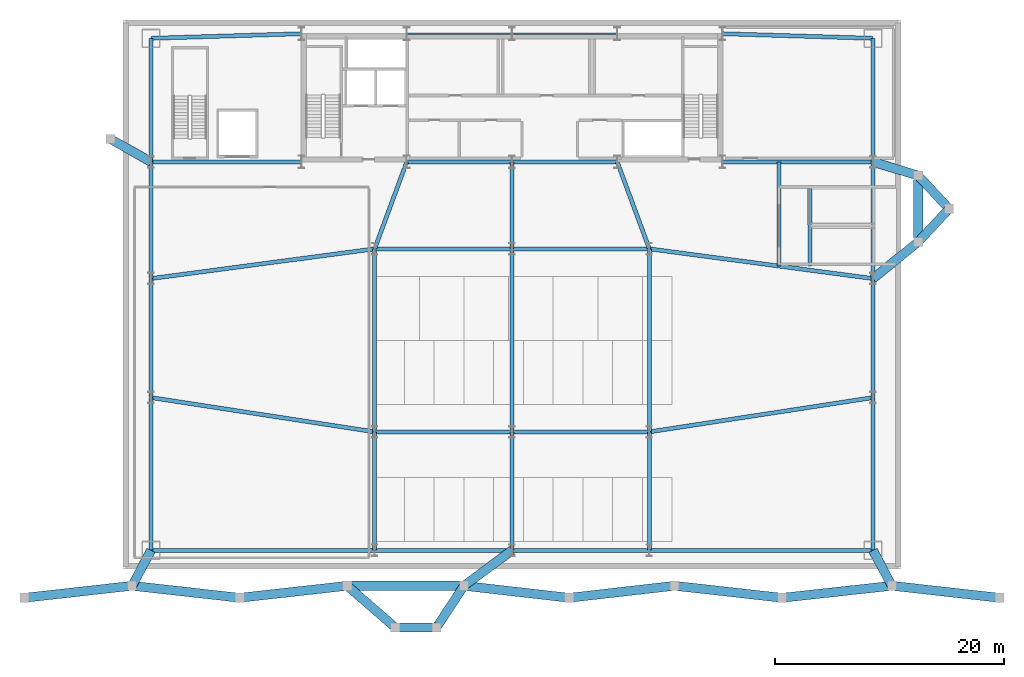
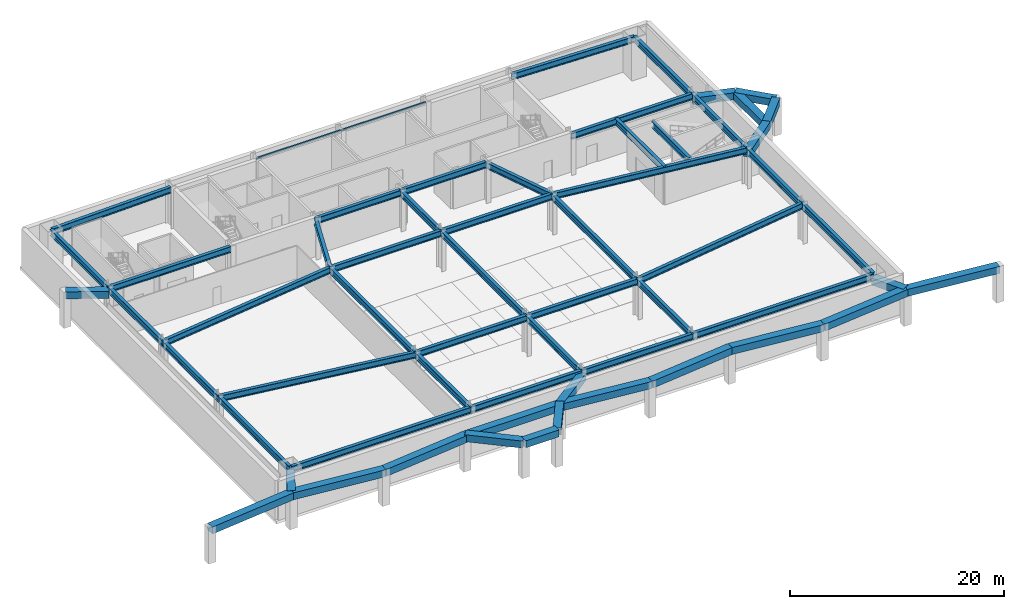
# One storey, part 3 of 9: 60 beams.
"""IFC4 building model written with IfcOpenShell, lengths in metres."""

from ifc_helpers import new_model, si_unit, direction, frame, origin, origin_2d, place, context, subcontext, project, spatial, rectangle, i_section, extrude, source, transform, mapped, material, material_profile, profile_set, type_object, type_shapes, element, save


model = new_model("IFC4")

# Units and contexts
model_context = context("Model", 3, precision=1e-05, world=origin(), true_north=direction((0.0, 1.0)))
body_context = subcontext(model_context, "Body", "Model", "MODEL_VIEW")
ifc_project = project(units=[si_unit("LENGTHUNIT", "METRE"), si_unit("AREAUNIT", "SQUARE_METRE"), si_unit("VOLUMEUNIT", "CUBIC_METRE"), si_unit("PLANEANGLEUNIT", "RADIAN"), si_unit("MASSUNIT", "GRAM", prefix="KILO")], contexts=[model_context])

# Site, building, storey
site_placement = place(None, origin())
site = spatial("IfcSite", under=ifc_project, at=site_placement, CompositionType="ELEMENT")
building_placement = place(site_placement, origin())
building = spatial("IfcBuilding", under=site, at=building_placement, Name="Varnel Quay Broadcast Tower", CompositionType="ELEMENT")
storey_placement = place(building_placement, frame((0.0, 0.0, -4.800048828125)))
storey = spatial("IfcBuildingStorey", under=building, at=storey_placement, Name="B1", CompositionType="ELEMENT", Elevation=-4.800048828125)

# Beams
ifc_material_1 = material(Name="Concrete CSA A23.3 C50/60", Category="concrete")
ifc_material_profile_1 = material_profile(ifc_material_1, rectangle(XDim=0.800048828125, YDim=0.800048828125, at=origin_2d()), Name="RC800X800")
ifc_profile_set_1 = profile_set([ifc_material_profile_1], Name="Concrete CSA A23.3 C50/60")
beam_type_1 = type_object("IfcBeamType", Name="Beam_RC800X800", PredefinedType="BEAM", material=ifc_profile_set_1)
shared_shape_1 = source(origin(), body_context, "Body", "SweptSolid", [
    extrude(rectangle(XDim=0.800048828125, YDim=0.800048828125, at=origin_2d()), origin(), (0.0, 0.0, 1.0), 9.45849609375),
])
for number, where, z_axis, x_axis, name in (
    (1, (-8.60009765625, -2.5, 3.699951171875), (0.993818719908, 0.111015097897, 0.0), (-0.111015097897, 0.993818719908, 0.0), "B1 Quay Promenade Pier Beam PRM01-PRM02"),
    (2, (10.199951171875, -2.5, 3.699951171875), (0.993818719908, 0.111015097897, 0.0), (-0.111015097897, 0.993818719908, 0.0), "B1 Quay Promenade Pier Beam PRM03-PRM04"),
    (3, (48.199951171875, -1.449951171875, 3.699951171875), (0.993818719908, -0.111015097897, 0.0), (0.111015097897, 0.993818719908, 0.0), "B1 Quay Promenade Pier Beam PRM07-PRM08"),
    (4, (67.199951171875, -1.449951171875, 3.699951171875), (0.993818719908, -0.111015097897, 0.0), (0.111015097897, 0.993818719908, 0.0), "B1 Quay Promenade Pier Beam PRM09-PRM10"),
):
    element("IfcBeam", number, at=place(storey_placement, frame(where, z_axis=z_axis, x_axis=x_axis)), inside=storey, type_object=beam_type_1, Name=name, PredefinedType="BEAM", context=body_context, shape_type="MappedRepresentation", body=[
        mapped(shared_shape_1, transform((0.0, 0.0, 0.0), x_axis=(1.0, 0.0, 0.0), y_axis=(0.0, 1.0, 0.0), z_axis=(0.0, 0.0, 1.0), scale=1.0)),
    ])
shared_shape_2 = source(origin(), body_context, "Body", "SweptSolid", [
    extrude(rectangle(XDim=0.800048828125, YDim=0.800048828125, at=origin_2d()), origin(), (0.0, 0.0, 1.0), 9.458251953125),
])
beam_1_placement = place(storey_placement, frame((0.800048828125, -1.449951171875, 3.699951171875), z_axis=(0.993818401786, -0.111017945719, 0.0), x_axis=(0.111017945719, 0.993818401786, 0.0)))
element("IfcBeam", 5, at=beam_1_placement, inside=storey, type_object=beam_type_1, Name="B1 Quay Promenade Pier Beam PRM02-PRM03", PredefinedType="BEAM", context=body_context, shape_type="MappedRepresentation", body=[
    mapped(shared_shape_2, transform((0.0, 0.0, 0.0), x_axis=(1.0, 0.0, 0.0), y_axis=(0.0, 1.0, 0.0), z_axis=(0.0, 0.0, 1.0), scale=1.0)),
])
shared_shape_3 = source(origin(), body_context, "Body", "SweptSolid", [
    extrude(rectangle(XDim=0.800048828125, YDim=0.800048828125, at=origin_2d()), origin(), (0.0, 0.0, 1.0), 10.199951171875),
])
beam_2_placement = place(storey_placement, frame((19.60009765625, -1.449951171875, 3.699951171875), z_axis=(1.0, 0.0, 0.0), x_axis=(0.0, 1.0, 0.0)))
element("IfcBeam", 6, at=beam_2_placement, inside=storey, type_object=beam_type_1, Name="B1 Quay Promenade Pier Beam PRM04-PRM05", PredefinedType="BEAM", context=body_context, shape_type="MappedRepresentation", body=[
    mapped(shared_shape_3, transform((0.0, 0.0, 0.0), x_axis=(1.0, 0.0, 0.0), y_axis=(0.0, 1.0, 0.0), z_axis=(0.0, 0.0, 1.0), scale=1.0)),
])
shared_shape_4 = source(origin(), body_context, "Body", "SweptSolid", [
    extrude(rectangle(XDim=0.800048828125, YDim=0.800048828125, at=origin_2d()), origin(), (0.0, 0.0, 1.0), 9.259765625),
])
for number, where, z_axis, x_axis, name in (
    (7, (29.800048828125, -1.449951171875, 3.699951171875), (0.993549403514, -0.11340010043, 0.0), (0.11340010043, 0.993549403514, 0.0), "B1 Quay Promenade Pier Beam PRM05-PRM06"),
    (8, (39.0, -2.5, 3.699951171875), (0.993549403514, 0.11340010043, 0.0), (-0.11340010043, 0.993549403514, 0.0), "B1 Quay Promenade Pier Beam PRM06-PRM07"),
):
    element("IfcBeam", number, at=place(storey_placement, frame(where, z_axis=z_axis, x_axis=x_axis)), inside=storey, type_object=beam_type_1, Name=name, PredefinedType="BEAM", context=body_context, shape_type="MappedRepresentation", body=[
        mapped(shared_shape_4, transform((0.0, 0.0, 0.0), x_axis=(1.0, 0.0, 0.0), y_axis=(0.0, 1.0, 0.0), z_axis=(0.0, 0.0, 1.0), scale=1.0)),
    ])
shared_shape_5 = source(origin(), body_context, "Body", "SweptSolid", [
    extrude(rectangle(XDim=0.800048828125, YDim=0.800048828125, at=origin_2d()), origin(), (0.0, 0.0, 1.0), 9.6572265625),
])
beam_3_placement = place(storey_placement, frame((57.60009765625, -2.5, 3.699951171875), z_axis=(0.994070965935, 0.108733227143, 0.0), x_axis=(-0.108733227143, 0.994070965935, 0.0)))
element("IfcBeam", 9, at=beam_3_placement, inside=storey, type_object=beam_type_1, Name="B1 Quay Promenade Pier Beam PRM08-PRM09", PredefinedType="BEAM", context=body_context, shape_type="MappedRepresentation", body=[
    mapped(shared_shape_5, transform((0.0, 0.0, 0.0), x_axis=(1.0, 0.0, 0.0), y_axis=(0.0, 1.0, 0.0), z_axis=(0.0, 0.0, 1.0), scale=1.0)),
])
shared_shape_6 = source(origin(), body_context, "Body", "SweptSolid", [
    extrude(rectangle(XDim=0.800048828125, YDim=0.800048828125, at=origin_2d()), origin(), (0.0, 0.0, 1.0), 3.511474609375),
])
for number, where, z_axis, x_axis, name in (
    (10, (0.800048828125, -1.449951171875, 3.699951171875), (0.469844712392, 0.882749084529, 0.0), (-0.882749084529, 0.469844712392, 0.0), "B1 Exterior Pier Frame Tie PRM02"),
    (11, (67.199951171875, -1.449951171875, 3.699951171875), (-0.469844712392, 0.882749084529, 0.0), (-0.882749084529, -0.469844712392, 0.0), "B1 Exterior Pier Frame Tie PRM09"),
):
    element("IfcBeam", number, at=place(storey_placement, frame(where, z_axis=z_axis, x_axis=x_axis)), inside=storey, type_object=beam_type_1, Name=name, PredefinedType="BEAM", context=body_context, shape_type="MappedRepresentation", body=[
        mapped(shared_shape_6, transform((0.0, 0.0, 0.0), x_axis=(1.0, 0.0, 0.0), y_axis=(0.0, 1.0, 0.0), z_axis=(0.0, 0.0, 1.0), scale=1.0)),
    ])
shared_shape_7 = source(origin(), body_context, "Body", "SweptSolid", [
    extrude(rectangle(XDim=0.800048828125, YDim=0.800048828125, at=origin_2d()), origin(), (0.0, 0.0, 1.0), 5.219970703125),
])
beam_4_placement = place(storey_placement, frame((29.800048828125, -1.449951171875, 3.699951171875), z_axis=(0.804584188653, 0.593838600438, 0.0), x_axis=(-0.593838600438, 0.804584188653, 0.0)))
element("IfcBeam", 12, at=beam_4_placement, inside=storey, type_object=beam_type_1, Name="B1 Exterior Pier Frame Tie PRM05", PredefinedType="BEAM", context=body_context, shape_type="MappedRepresentation", body=[
    mapped(shared_shape_7, transform((0.0, 0.0, 0.0), x_axis=(1.0, 0.0, 0.0), y_axis=(0.0, 1.0, 0.0), z_axis=(0.0, 0.0, 1.0), scale=1.0)),
])
shared_shape_8 = source(origin(), body_context, "Body", "SweptSolid", [
    extrude(rectangle(XDim=0.800048828125, YDim=0.800048828125, at=origin_2d()), origin(), (0.0, 0.0, 1.0), 5.083740234375),
])
beam_5_placement = place(storey_placement, frame((69.5, 28.60009765625, 3.699951171875), z_axis=(-0.776993171776, -0.629509023774, 0.0), x_axis=(0.629509023774, -0.776993171776, 0.0)))
element("IfcBeam", 13, at=beam_5_placement, inside=storey, type_object=beam_type_1, Name="B1 Exterior Pier Frame Tie EAPR1", PredefinedType="BEAM", context=body_context, shape_type="MappedRepresentation", body=[
    mapped(shared_shape_8, transform((0.0, 0.0, 0.0), x_axis=(1.0, 0.0, 0.0), y_axis=(0.0, 1.0, 0.0), z_axis=(0.0, 0.0, 1.0), scale=1.0)),
])
shared_shape_9 = source(origin(), body_context, "Body", "SweptSolid", [
    extrude(rectangle(XDim=0.800048828125, YDim=0.800048828125, at=origin_2d()), origin(), (0.0, 0.0, 1.0), 4.128173828125),
])
beam_6_placement = place(storey_placement, frame((69.5, 34.39990234375, 3.699951171875), z_axis=(-0.95680628088, 0.290726230101, 0.0), x_axis=(-0.290726230101, -0.95680628088, 0.0)))
element("IfcBeam", 14, at=beam_6_placement, inside=storey, type_object=beam_type_1, Name="B1 Exterior Pier Frame Tie EAPR2", PredefinedType="BEAM", context=body_context, shape_type="MappedRepresentation", body=[
    mapped(shared_shape_9, transform((0.0, 0.0, 0.0), x_axis=(1.0, 0.0, 0.0), y_axis=(0.0, 1.0, 0.0), z_axis=(0.0, 0.0, 1.0), scale=1.0)),
])
shared_shape_10 = source(origin(), body_context, "Body", "SweptSolid", [
    extrude(rectangle(XDim=0.800048828125, YDim=0.800048828125, at=origin_2d()), origin(), (0.0, 0.0, 1.0), 4.07470703125),
])
beam_7_placement = place(storey_placement, frame((-1.10009765625, 37.60009765625, 3.699951171875), z_axis=(0.871250514853, -0.490838609289, 0.0), x_axis=(0.490838609289, 0.871250514853, 0.0)))
element("IfcBeam", 15, at=beam_7_placement, inside=storey, type_object=beam_type_1, Name="B1 Exterior Pier Frame Tie WEXT1", PredefinedType="BEAM", context=body_context, shape_type="MappedRepresentation", body=[
    mapped(shared_shape_10, transform((0.0, 0.0, 0.0), x_axis=(1.0, 0.0, 0.0), y_axis=(0.0, 1.0, 0.0), z_axis=(0.0, 0.0, 1.0), scale=1.0)),
])
shared_shape_11 = source(origin(), body_context, "Body", "SweptSolid", [
    extrude(rectangle(XDim=0.800048828125, YDim=0.800048828125, at=origin_2d()), origin(), (0.0, 0.0, 1.0), 3.599853515625),
])
beam_8_placement = place(storey_placement, frame((23.800048828125, -5.10009765625, 3.800048828125), z_axis=(1.0, 0.0, 0.0), x_axis=(0.0, 1.0, 0.0)))
element("IfcBeam", 16, at=beam_8_placement, inside=storey, type_object=beam_type_1, Name="B1 Quay Ramp Pier Beam QRMP1-QRMP2", PredefinedType="BEAM", context=body_context, shape_type="MappedRepresentation", body=[
    mapped(shared_shape_11, transform((0.0, 0.0, 0.0), x_axis=(1.0, 0.0, 0.0), y_axis=(0.0, 1.0, 0.0), z_axis=(0.0, 0.0, 1.0), scale=1.0)),
])
shared_shape_12 = source(origin(), body_context, "Body", "SweptSolid", [
    extrude(rectangle(XDim=0.800048828125, YDim=0.800048828125, at=origin_2d()), origin(), (0.0, 0.0, 1.0), 5.564453125),
])
beam_9_placement = place(storey_placement, frame((23.800048828125, -5.10009765625, 3.800048828125), z_axis=(-0.754782128419, 0.655975562517, 0.0), x_axis=(-0.655975562517, -0.754782128419, 0.0)))
element("IfcBeam", 17, at=beam_9_placement, inside=storey, type_object=beam_type_1, Name="B1 Quay Ramp Pier Beam QRMP1-PRM04", PredefinedType="BEAM", context=body_context, shape_type="MappedRepresentation", body=[
    mapped(shared_shape_12, transform((0.0, 0.0, 0.0), x_axis=(1.0, 0.0, 0.0), y_axis=(0.0, 1.0, 0.0), z_axis=(0.0, 0.0, 1.0), scale=1.0)),
])
shared_shape_13 = source(origin(), body_context, "Body", "SweptSolid", [
    extrude(rectangle(XDim=0.800048828125, YDim=0.800048828125, at=origin_2d()), origin(), (0.0, 0.0, 1.0), 4.36865234375),
])
beam_10_placement = place(storey_placement, frame((27.39990234375, -5.10009765625, 3.800048828125), z_axis=(0.549414280522, 0.835550087283, 0.0), x_axis=(-0.835550087283, 0.549414280522, 0.0)))
element("IfcBeam", 18, at=beam_10_placement, inside=storey, type_object=beam_type_1, Name="B1 Quay Ramp Pier Beam QRMP2-PRM05", PredefinedType="BEAM", context=body_context, shape_type="MappedRepresentation", body=[
    mapped(shared_shape_13, transform((0.0, 0.0, 0.0), x_axis=(1.0, 0.0, 0.0), y_axis=(0.0, 1.0, 0.0), z_axis=(0.0, 0.0, 1.0), scale=1.0)),
])
shared_shape_14 = source(origin(), body_context, "Body", "SweptSolid", [
    extrude(rectangle(XDim=0.800048828125, YDim=0.800048828125, at=origin_2d()), origin(), (0.0, 0.0, 1.0), 5.7998046875),
])
beam_11_placement = place(storey_placement, frame((69.5, 28.60009765625, 3.699951171875), z_axis=(0.0, 1.0, 0.0), x_axis=(-1.0, 0.0, 0.0)))
element("IfcBeam", 19, at=beam_11_placement, inside=storey, type_object=beam_type_1, Name="B1 East Apron Pier Beam EAPR1-EAPR2", PredefinedType="BEAM", context=body_context, shape_type="MappedRepresentation", body=[
    mapped(shared_shape_14, transform((0.0, 0.0, 0.0), x_axis=(1.0, 0.0, 0.0), y_axis=(0.0, 1.0, 0.0), z_axis=(0.0, 0.0, 1.0), scale=1.0)),
])
shared_shape_15 = source(origin(), body_context, "Body", "SweptSolid", [
    extrude(rectangle(XDim=0.800048828125, YDim=0.800048828125, at=origin_2d()), origin(), (0.0, 0.0, 1.0), 3.962158203125),
])
type_shapes(beam_type_1, [shared_shape_1, shared_shape_2, shared_shape_3, shared_shape_4, shared_shape_5, shared_shape_6, shared_shape_7, shared_shape_8, shared_shape_9, shared_shape_10, shared_shape_11, shared_shape_12, shared_shape_13, shared_shape_14, shared_shape_15])
for number, where, z_axis, x_axis, name in (
    (20, (69.5, 28.60009765625, 3.699951171875), (0.681424218655, 0.731888676118, 0.0), (-0.731888676118, 0.681424218655, 0.0), "B1 East Apron Pier Beam EAPR1-EAPR3"),
    (21, (69.5, 34.39990234375, 3.699951171875), (0.681424218655, -0.731888676118, 0.0), (0.731888676118, 0.681424218655, 0.0), "B1 East Apron Pier Beam EAPR2-EAPR3"),
):
    element("IfcBeam", number, at=place(storey_placement, frame(where, z_axis=z_axis, x_axis=x_axis)), inside=storey, type_object=beam_type_1, Name=name, PredefinedType="BEAM", context=body_context, shape_type="MappedRepresentation", body=[
        mapped(shared_shape_15, transform((0.0, 0.0, 0.0), x_axis=(1.0, 0.0, 0.0), y_axis=(0.0, 1.0, 0.0), z_axis=(0.0, 0.0, 1.0), scale=1.0)),
    ])
ifc_material_2 = material(Name="Structural Steel CSA G40.21 350W", Category="steel")
ifc_material_profile_2 = material_profile(ifc_material_2, i_section(OverallWidth=0.35498046875, OverallDepth=0.695068359375, WebThickness=0.015380859375, FlangeThickness=0.02490234375, FilletRadius=0.01806640625, at=origin_2d()), Name="W690X217")
ifc_profile_set_2 = profile_set([ifc_material_profile_2], Name="Structural Steel CSA G40.21 350W")
beam_type_2 = type_object("IfcBeamType", Name="Girder_W690X217", PredefinedType="BEAM", material=ifc_profile_set_2)
shared_shape_16 = source(origin(), body_context, "Body", "SweptSolid", [
    extrude(i_section(OverallWidth=0.35498046875, OverallDepth=0.695068359375, WebThickness=0.015380859375, FlangeThickness=0.02490234375, FilletRadius=0.01806640625, at=origin_2d()), origin(), (0.0, 0.0, 1.0), 19.510009765625),
])
for number, where, z_axis, x_axis, name in (
    (22, (2.469970703125, 1.64990234375, 4.132568359375), (1.0, 0.0, 0.0), (0.0, 1.0, 0.0), "B1 Girder G-PS1"),
    (23, (46.02001953125, 1.64990234375, 4.132568359375), (1.0, 0.0, 0.0), (0.0, 1.0, 0.0), "B1 Girder G-PS4"),
):
    element("IfcBeam", number, at=place(storey_placement, frame(where, z_axis=z_axis, x_axis=x_axis)), inside=storey, type_object=beam_type_2, Name=name, PredefinedType="BEAM", context=body_context, shape_type="MappedRepresentation", body=[
        mapped(shared_shape_16, transform((0.0, 0.0, 0.0), x_axis=(1.0, 0.0, 0.0), y_axis=(0.0, 1.0, 0.0), z_axis=(0.0, 0.0, 1.0), scale=1.0)),
    ])
shared_shape_17 = source(origin(), body_context, "Body", "SweptSolid", [
    extrude(i_section(OverallWidth=0.35498046875, OverallDepth=0.695068359375, WebThickness=0.015380859375, FlangeThickness=0.02490234375, FilletRadius=0.01806640625, at=origin_2d()), origin(), (0.0, 0.0, 1.0), 11.9599609375),
])
for number, where, z_axis, x_axis, name in (
    (24, (22.02001953125, 1.64990234375, 4.132568359375), (1.0, 0.0, 0.0), (0.0, 1.0, 0.0), "B1 Girder G-PS2"),
    (25, (34.02001953125, 1.64990234375, 4.132568359375), (1.0, 0.0, 0.0), (0.0, 1.0, 0.0), "B1 Girder G-PS3"),
    (26, (22.02001953125, 12.0, 4.132568359375), (1.0, 0.0, 0.0), (0.0, 1.0, 0.0), "B1 Girder G-STC1A"),
    (27, (34.02001953125, 12.0, 4.132568359375), (1.0, 0.0, 0.0), (0.0, 1.0, 0.0), "B1 Girder G-STC1B"),
    (28, (22.02001953125, 28.0, 4.132568359375), (1.0, 0.0, 0.0), (0.0, 1.0, 0.0), "B1 Girder G-STC2"),
    (29, (34.02001953125, 28.0, 4.132568359375), (1.0, 0.0, 0.0), (0.0, 1.0, 0.0), "B1 Girder G-STC3"),
):
    element("IfcBeam", number, at=place(storey_placement, frame(where, z_axis=z_axis, x_axis=x_axis)), inside=storey, type_object=beam_type_2, Name=name, PredefinedType="BEAM", context=body_context, shape_type="MappedRepresentation", body=[
        mapped(shared_shape_17, transform((0.0, 0.0, 0.0), x_axis=(1.0, 0.0, 0.0), y_axis=(0.0, 1.0, 0.0), z_axis=(0.0, 0.0, 1.0), scale=1.0)),
    ])
shared_shape_18 = source(origin(), body_context, "Body", "SweptSolid", [
    extrude(i_section(OverallWidth=0.35498046875, OverallDepth=0.695068359375, WebThickness=0.015380859375, FlangeThickness=0.02490234375, FilletRadius=0.01806640625, at=origin_2d()), origin(), (0.0, 0.0, 1.0), 13.31005859375),
])
for number, where, z_axis, x_axis, name in (
    (30, (2.449951171875, 1.669921875, 4.132568359375), (0.0, 1.0, 0.0), (-1.0, 0.0, 0.0), "B1 Girder G-PW1"),
    (31, (65.550048828125, 1.669921875, 4.132568359375), (0.0, 1.0, 0.0), (-1.0, 0.0, 0.0), "B1 Girder G-PE1"),
):
    element("IfcBeam", number, at=place(storey_placement, frame(where, z_axis=z_axis, x_axis=x_axis)), inside=storey, type_object=beam_type_2, Name=name, PredefinedType="BEAM", context=body_context, shape_type="MappedRepresentation", body=[
        mapped(shared_shape_18, transform((0.0, 0.0, 0.0), x_axis=(1.0, 0.0, 0.0), y_axis=(0.0, 1.0, 0.0), z_axis=(0.0, 0.0, 1.0), scale=1.0)),
    ])
shared_shape_19 = source(origin(), body_context, "Body", "SweptSolid", [
    extrude(i_section(OverallWidth=0.35498046875, OverallDepth=0.695068359375, WebThickness=0.015380859375, FlangeThickness=0.02490234375, FilletRadius=0.01806640625, at=origin_2d()), origin(), (0.0, 0.0, 1.0), 10.35986328125),
])
for number, where, z_axis, x_axis, name in (
    (32, (2.449951171875, 15.02001953125, 4.132568359375), (0.0, 1.0, 0.0), (-1.0, 0.0, 0.0), "B1 Girder G-PW2"),
    (33, (65.550048828125, 15.02001953125, 4.132568359375), (0.0, 1.0, 0.0), (-1.0, 0.0, 0.0), "B1 Girder G-PE2"),
):
    element("IfcBeam", number, at=place(storey_placement, frame(where, z_axis=z_axis, x_axis=x_axis)), inside=storey, type_object=beam_type_2, Name=name, PredefinedType="BEAM", context=body_context, shape_type="MappedRepresentation", body=[
        mapped(shared_shape_19, transform((0.0, 0.0, 0.0), x_axis=(1.0, 0.0, 0.0), y_axis=(0.0, 1.0, 0.0), z_axis=(0.0, 0.0, 1.0), scale=1.0)),
    ])
shared_shape_20 = source(origin(), body_context, "Body", "SweptSolid", [
    extrude(i_section(OverallWidth=0.35498046875, OverallDepth=0.695068359375, WebThickness=0.015380859375, FlangeThickness=0.02490234375, FilletRadius=0.01806640625, at=origin_2d()), origin(), (0.0, 0.0, 1.0), 10.16015625),
])
for number, where, z_axis, x_axis, name in (
    (34, (2.449951171875, 25.419921875, 4.132568359375), (0.0, 1.0, 0.0), (-1.0, 0.0, 0.0), "B1 Girder G-PW3"),
    (35, (65.550048828125, 25.419921875, 4.132568359375), (0.0, 1.0, 0.0), (-1.0, 0.0, 0.0), "B1 Girder G-PE3"),
):
    element("IfcBeam", number, at=place(storey_placement, frame(where, z_axis=z_axis, x_axis=x_axis)), inside=storey, type_object=beam_type_2, Name=name, PredefinedType="BEAM", context=body_context, shape_type="MappedRepresentation", body=[
        mapped(shared_shape_20, transform((0.0, 0.0, 0.0), x_axis=(1.0, 0.0, 0.0), y_axis=(0.0, 1.0, 0.0), z_axis=(0.0, 0.0, 1.0), scale=1.0)),
    ])
shared_shape_21 = source(origin(), body_context, "Body", "SweptSolid", [
    extrude(i_section(OverallWidth=0.35498046875, OverallDepth=0.695068359375, WebThickness=0.015380859375, FlangeThickness=0.02490234375, FilletRadius=0.01806640625, at=origin_2d()), origin(), (0.0, 0.0, 1.0), 10.759765625),
])
for number, where, z_axis, x_axis, name in (
    (36, (2.449951171875, 35.6201171875, 4.132568359375), (0.0, 1.0, 0.0), (-1.0, 0.0, 0.0), "B1 Girder G-PW4"),
    (37, (65.550048828125, 35.6201171875, 4.132568359375), (0.0, 1.0, 0.0), (-1.0, 0.0, 0.0), "B1 Girder G-PE4"),
):
    element("IfcBeam", number, at=place(storey_placement, frame(where, z_axis=z_axis, x_axis=x_axis)), inside=storey, type_object=beam_type_2, Name=name, PredefinedType="BEAM", context=body_context, shape_type="MappedRepresentation", body=[
        mapped(shared_shape_21, transform((0.0, 0.0, 0.0), x_axis=(1.0, 0.0, 0.0), y_axis=(0.0, 1.0, 0.0), z_axis=(0.0, 0.0, 1.0), scale=1.0)),
    ])
shared_shape_22 = source(origin(), body_context, "Body", "SweptSolid", [
    extrude(i_section(OverallWidth=0.35498046875, OverallDepth=0.695068359375, WebThickness=0.015380859375, FlangeThickness=0.02490234375, FilletRadius=0.01806640625, at=origin_2d()), origin(), (0.0, 0.0, 1.0), 13.1162109375),
])
for number, where, z_axis, x_axis, name in (
    (38, (2.469970703125, 46.400634765625, 4.132568359375), (0.999537928818, 0.030396198025, 0.0), (-0.030396198025, 0.999537928818, 0.0), "B1 Girder G-PN1"),
    (39, (52.419921875, 46.79931640625, 4.132568359375), (0.999537928818, -0.030396198025, 0.0), (0.030396198025, 0.999537928818, 0.0), "B1 Girder G-PN2"),
):
    element("IfcBeam", number, at=place(storey_placement, frame(where, z_axis=z_axis, x_axis=x_axis)), inside=storey, type_object=beam_type_2, Name=name, PredefinedType="BEAM", context=body_context, shape_type="MappedRepresentation", body=[
        mapped(shared_shape_22, transform((0.0, 0.0, 0.0), x_axis=(1.0, 0.0, 0.0), y_axis=(0.0, 1.0, 0.0), z_axis=(0.0, 0.0, 1.0), scale=1.0)),
    ])
shared_shape_23 = source(origin(), body_context, "Body", "SweptSolid", [
    extrude(i_section(OverallWidth=0.35498046875, OverallDepth=0.695068359375, WebThickness=0.015380859375, FlangeThickness=0.02490234375, FilletRadius=0.01806640625, at=origin_2d()), origin(), (0.0, 0.0, 1.0), 19.739013671875),
])
for number, where, z_axis, x_axis, name in (
    (40, (2.4697265625, 14.9970703125, 4.132568359375), (0.988428537819, -0.151687262564, 0.0), (0.151687262564, 0.988428537819, 0.0), "B1 Girder G-STA1"),
    (41, (46.019775390625, 12.0029296875, 4.132568359375), (0.988428537819, 0.151687262564, 0.0), (-0.151687262564, 0.988428537819, 0.0), "B1 Girder G-STB1"),
):
    element("IfcBeam", number, at=place(storey_placement, frame(where, z_axis=z_axis, x_axis=x_axis)), inside=storey, type_object=beam_type_2, Name=name, PredefinedType="BEAM", context=body_context, shape_type="MappedRepresentation", body=[
        mapped(shared_shape_23, transform((0.0, 0.0, 0.0), x_axis=(1.0, 0.0, 0.0), y_axis=(0.0, 1.0, 0.0), z_axis=(0.0, 0.0, 1.0), scale=1.0)),
    ])
shared_shape_24 = source(origin(), body_context, "Body", "SweptSolid", [
    extrude(i_section(OverallWidth=0.35498046875, OverallDepth=0.695068359375, WebThickness=0.015380859375, FlangeThickness=0.02490234375, FilletRadius=0.01806640625, at=origin_2d()), origin(), (0.0, 0.0, 1.0), 19.682373046875),
])
for number, where, z_axis, x_axis, name in (
    (42, (2.4697265625, 25.402587890625, 4.132568359375), (0.991272261072, 0.131830589885, 0.0), (-0.131830589885, 0.991272261072, 0.0), "B1 Girder G-STA2"),
    (43, (46.019775390625, 27.997314453125, 4.132568359375), (0.991272261072, -0.131830589885, 0.0), (0.131830589885, 0.991272261072, 0.0), "B1 Girder G-STB2"),
):
    element("IfcBeam", number, at=place(storey_placement, frame(where, z_axis=z_axis, x_axis=x_axis)), inside=storey, type_object=beam_type_2, Name=name, PredefinedType="BEAM", context=body_context, shape_type="MappedRepresentation", body=[
        mapped(shared_shape_24, transform((0.0, 0.0, 0.0), x_axis=(1.0, 0.0, 0.0), y_axis=(0.0, 1.0, 0.0), z_axis=(0.0, 0.0, 1.0), scale=1.0)),
    ])
shared_shape_25 = source(origin(), body_context, "Body", "SweptSolid", [
    extrude(i_section(OverallWidth=0.35498046875, OverallDepth=0.695068359375, WebThickness=0.015380859375, FlangeThickness=0.02490234375, FilletRadius=0.01806640625, at=origin_2d()), origin(), (0.0, 0.0, 1.0), 10.31005859375),
])
for number, where, z_axis, x_axis, name in (
    (44, (22.0, 1.669921875, 4.132568359375), (0.0, 1.0, 0.0), (-1.0, 0.0, 0.0), "B1 Girder G-M1"),
    (45, (34.0, 1.669921875, 4.132568359375), (0.0, 1.0, 0.0), (-1.0, 0.0, 0.0), "B1 Girder G-M2B"),
    (46, (46.0, 1.669921875, 4.132568359375), (0.0, 1.0, 0.0), (-1.0, 0.0, 0.0), "B1 Girder G-M3"),
):
    element("IfcBeam", number, at=place(storey_placement, frame(where, z_axis=z_axis, x_axis=x_axis)), inside=storey, type_object=beam_type_2, Name=name, PredefinedType="BEAM", context=body_context, shape_type="MappedRepresentation", body=[
        mapped(shared_shape_25, transform((0.0, 0.0, 0.0), x_axis=(1.0, 0.0, 0.0), y_axis=(0.0, 1.0, 0.0), z_axis=(0.0, 0.0, 1.0), scale=1.0)),
    ])
shared_shape_26 = source(origin(), body_context, "Body", "SweptSolid", [
    extrude(i_section(OverallWidth=0.35498046875, OverallDepth=0.695068359375, WebThickness=0.015380859375, FlangeThickness=0.02490234375, FilletRadius=0.01806640625, at=origin_2d()), origin(), (0.0, 0.0, 1.0), 15.9599609375),
])
for number, where, z_axis, x_axis, name in (
    (47, (22.0, 12.02001953125, 4.132568359375), (0.0, 1.0, 0.0), (-1.0, 0.0, 0.0), "B1 Girder G-M2"),
    (48, (34.0, 12.02001953125, 4.132568359375), (0.0, 1.0, 0.0), (-1.0, 0.0, 0.0), "B1 Girder G-M2C"),
    (49, (46.0, 12.02001953125, 4.132568359375), (0.0, 1.0, 0.0), (-1.0, 0.0, 0.0), "B1 Girder G-M4"),
):
    element("IfcBeam", number, at=place(storey_placement, frame(where, z_axis=z_axis, x_axis=x_axis)), inside=storey, type_object=beam_type_2, Name=name, PredefinedType="BEAM", context=body_context, shape_type="MappedRepresentation", body=[
        mapped(shared_shape_26, transform((0.0, 0.0, 0.0), x_axis=(1.0, 0.0, 0.0), y_axis=(0.0, 1.0, 0.0), z_axis=(0.0, 0.0, 1.0), scale=1.0)),
    ])
shared_shape_27 = source(origin(), body_context, "Body", "SweptSolid", [
    extrude(i_section(OverallWidth=0.35498046875, OverallDepth=0.695068359375, WebThickness=0.015380859375, FlangeThickness=0.02490234375, FilletRadius=0.01806640625, at=origin_2d()), origin(), (0.0, 0.0, 1.0), 8.0595703125),
])
for number, where, z_axis, x_axis, name in (
    (50, (22.0068359375, 28.018798828125, 4.132568359375), (0.345726415607, 0.938335358788, 0.0), (-0.938335358788, 0.345726415607, 0.0), "B1 Girder G-C1"),
    (51, (45.9931640625, 28.018798828125, 4.132568359375), (-0.345726415607, 0.938335358788, 0.0), (-0.938335358788, -0.345726415607, 0.0), "B1 Girder G-C3"),
):
    element("IfcBeam", number, at=place(storey_placement, frame(where, z_axis=z_axis, x_axis=x_axis)), inside=storey, type_object=beam_type_2, Name=name, PredefinedType="BEAM", context=body_context, shape_type="MappedRepresentation", body=[
        mapped(shared_shape_27, transform((0.0, 0.0, 0.0), x_axis=(1.0, 0.0, 0.0), y_axis=(0.0, 1.0, 0.0), z_axis=(0.0, 0.0, 1.0), scale=1.0)),
    ])
shared_shape_28 = source(origin(), body_context, "Body", "SweptSolid", [
    extrude(i_section(OverallWidth=0.35498046875, OverallDepth=0.695068359375, WebThickness=0.015380859375, FlangeThickness=0.02490234375, FilletRadius=0.01806640625, at=origin_2d()), origin(), (0.0, 0.0, 1.0), 7.56005859375),
])
beam_12_placement = place(storey_placement, frame((34.0, 28.02001953125, 4.132568359375), z_axis=(0.0, 1.0, 0.0), x_axis=(-1.0, 0.0, 0.0)))
element("IfcBeam", 52, at=beam_12_placement, inside=storey, type_object=beam_type_2, Name="B1 Girder G-C2", PredefinedType="BEAM", context=body_context, shape_type="MappedRepresentation", body=[
    mapped(shared_shape_28, transform((0.0, 0.0, 0.0), x_axis=(1.0, 0.0, 0.0), y_axis=(0.0, 1.0, 0.0), z_axis=(0.0, 0.0, 1.0), scale=1.0)),
])
shared_shape_29 = source(origin(), body_context, "Body", "SweptSolid", [
    extrude(i_section(OverallWidth=0.35498046875, OverallDepth=0.695068359375, WebThickness=0.015380859375, FlangeThickness=0.02490234375, FilletRadius=0.01806640625, at=origin_2d()), origin(), (0.0, 0.0, 1.0), 13.110107421875),
])
for number, where, z_axis, x_axis, name in (
    (53, (2.469970703125, 35.60009765625, 4.132568359375), (1.0, 0.0, 0.0), (0.0, 1.0, 0.0), "B1 Girder G-C4"),
    (54, (52.419921875, 35.60009765625, 4.132568359375), (1.0, 0.0, 0.0), (0.0, 1.0, 0.0), "B1 Girder G-C5"),
):
    element("IfcBeam", number, at=place(storey_placement, frame(where, z_axis=z_axis, x_axis=x_axis)), inside=storey, type_object=beam_type_2, Name=name, PredefinedType="BEAM", context=body_context, shape_type="MappedRepresentation", body=[
        mapped(shared_shape_29, transform((0.0, 0.0, 0.0), x_axis=(1.0, 0.0, 0.0), y_axis=(0.0, 1.0, 0.0), z_axis=(0.0, 0.0, 1.0), scale=1.0)),
    ])
shared_shape_30 = source(origin(), body_context, "Body", "SweptSolid", [
    extrude(i_section(OverallWidth=0.35498046875, OverallDepth=0.695068359375, WebThickness=0.015380859375, FlangeThickness=0.02490234375, FilletRadius=0.01806640625, at=origin_2d()), origin(), (0.0, 0.0, 1.0), 9.159912109375),
])
for number, where, z_axis, x_axis, name in (
    (55, (24.820068359375, 35.60009765625, 4.132568359375), (1.0, 0.0, 0.0), (0.0, 1.0, 0.0), "B1 Girder G-CS1"),
    (56, (34.02001953125, 35.60009765625, 4.132568359375), (1.0, 0.0, 0.0), (0.0, 1.0, 0.0), "B1 Girder G-CS2"),
):
    element("IfcBeam", number, at=place(storey_placement, frame(where, z_axis=z_axis, x_axis=x_axis)), inside=storey, type_object=beam_type_2, Name=name, PredefinedType="BEAM", context=body_context, shape_type="MappedRepresentation", body=[
        mapped(shared_shape_30, transform((0.0, 0.0, 0.0), x_axis=(1.0, 0.0, 0.0), y_axis=(0.0, 1.0, 0.0), z_axis=(0.0, 0.0, 1.0), scale=1.0)),
    ])
ifc_material_profile_3 = material_profile(ifc_material_2, i_section(OverallWidth=0.1650390625, OverallDepth=0.200927734375, WebThickness=0.006103515625, FlangeThickness=0.01025390625, FilletRadius=0.010009765625, at=origin_2d()), Name="W200X36")
ifc_profile_set_3 = profile_set([ifc_material_profile_3], Name="Structural Steel CSA G40.21 350W")
beam_type_3 = type_object("IfcBeamType", Name="Beam_W200X36", PredefinedType="LINTEL", material=ifc_profile_set_3)
shared_shape_31 = source(origin(), body_context, "Body", "SweptSolid", [
    extrude(i_section(OverallWidth=0.1650390625, OverallDepth=0.200927734375, WebThickness=0.006103515625, FlangeThickness=0.01025390625, FilletRadius=0.010009765625, at=origin_2d()), origin(), (0.0, 0.0, 1.0), 9.159912109375),
])
type_shapes(beam_type_3, [shared_shape_31])
for number, where, z_axis, x_axis, name in (
    (57, (24.820068359375, 46.800048828125, 4.379638671875), (1.0, 0.0, 0.0), (0.0, 1.0, 0.0), "B1 Core North Portal Lintel W"),
    (58, (34.02001953125, 46.800048828125, 4.379638671875), (1.0, 0.0, 0.0), (0.0, 1.0, 0.0), "B1 Core North Portal Lintel E"),
):
    element("IfcBeam", number, at=place(storey_placement, frame(where, z_axis=z_axis, x_axis=x_axis)), inside=storey, type_object=beam_type_3, Name=name, PredefinedType="LINTEL", context=body_context, shape_type="MappedRepresentation", body=[
        mapped(shared_shape_31, transform((0.0, 0.0, 0.0), x_axis=(1.0, 0.0, 0.0), y_axis=(0.0, 1.0, 0.0), z_axis=(0.0, 0.0, 1.0), scale=1.0)),
    ])
shared_shape_32 = source(origin(), body_context, "Body", "SweptSolid", [
    extrude(i_section(OverallWidth=0.35498046875, OverallDepth=0.695068359375, WebThickness=0.015380859375, FlangeThickness=0.02490234375, FilletRadius=0.01806640625, at=origin_2d()), origin(), (0.0, 0.0, 1.0), 9.06005859375),
])
beam_13_placement = place(storey_placement, frame((57.320068359375, 26.52001953125, 4.132568359375), z_axis=(0.0, 1.0, 0.0), x_axis=(-1.0, 0.0, 0.0)))
element("IfcBeam", 59, at=beam_13_placement, inside=storey, type_object=beam_type_2, Name="B1 Ramp West Header Girder", PredefinedType="BEAM", context=body_context, shape_type="MappedRepresentation", body=[
    mapped(shared_shape_32, transform((0.0, 0.0, 0.0), x_axis=(1.0, 0.0, 0.0), y_axis=(0.0, 1.0, 0.0), z_axis=(0.0, 0.0, 1.0), scale=1.0)),
])
shared_shape_33 = source(origin(), body_context, "Body", "SweptSolid", [
    extrude(i_section(OverallWidth=0.35498046875, OverallDepth=0.695068359375, WebThickness=0.015380859375, FlangeThickness=0.02490234375, FilletRadius=0.01806640625, at=origin_2d()), origin(), (0.0, 0.0, 1.0), 6.9599609375),
])
type_shapes(beam_type_2, [shared_shape_16, shared_shape_17, shared_shape_18, shared_shape_19, shared_shape_20, shared_shape_21, shared_shape_22, shared_shape_23, shared_shape_24, shared_shape_25, shared_shape_26, shared_shape_27, shared_shape_28, shared_shape_29, shared_shape_30, shared_shape_32, shared_shape_33])
beam_14_placement = place(storey_placement, frame((60.0400390625, 26.52001953125, 4.132568359375), z_axis=(0.0, 1.0, 0.0), x_axis=(-1.0, 0.0, 0.0)))
element("IfcBeam", 60, at=beam_14_placement, inside=storey, type_object=beam_type_2, Name="B1 Ramp Landing Header Girder W", PredefinedType="BEAM", context=body_context, shape_type="MappedRepresentation", body=[
    mapped(shared_shape_33, transform((0.0, 0.0, 0.0), x_axis=(1.0, 0.0, 0.0), y_axis=(0.0, 1.0, 0.0), z_axis=(0.0, 0.0, 1.0), scale=1.0)),
])

save(model, "model.ifc")
